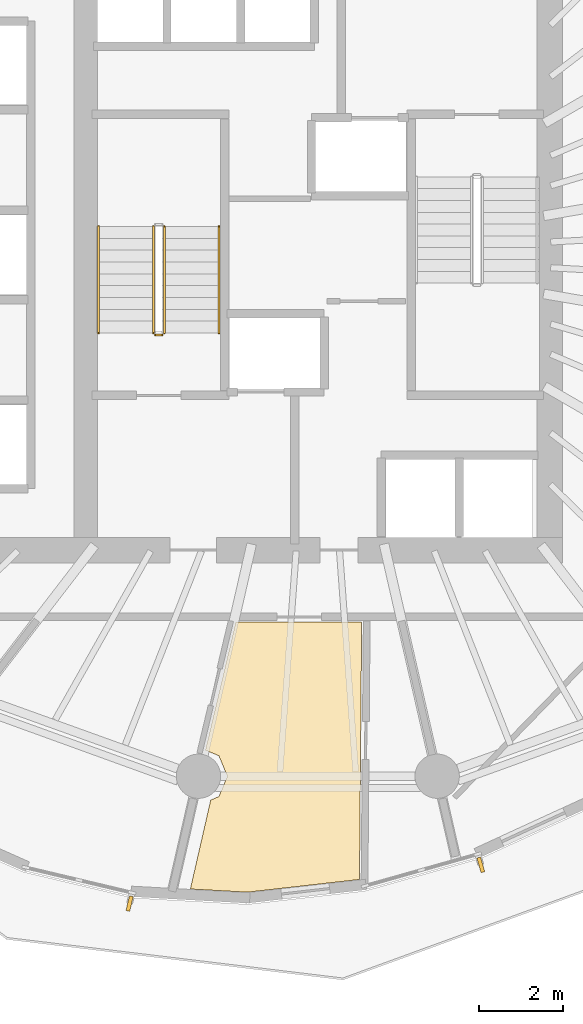
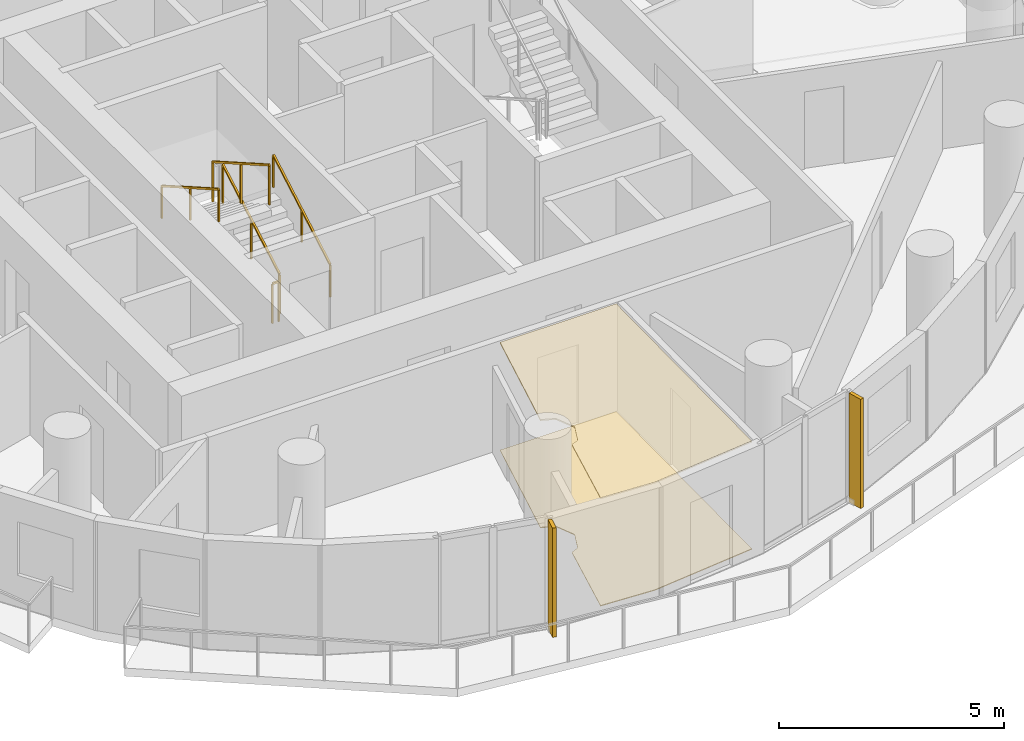
# One storey, part 9 of 13: 5 railings, 2 coverings, 2 shading devices.
"""IFC4 building model written with IfcOpenShell, lengths in metres."""

from ifc_helpers import new_model, si_unit, direction, frame, origin, origin_2d, place, context, subcontext, project, spatial, polyline, rectangle, outline, extrude, material, layer, layer_set, type_object, element, save


model = new_model("IFC4")

# Units and contexts
model_context = context("Model", 3, precision=1e-05, world=origin(), true_north=direction((0.0, 1.0)))
body_context = subcontext(model_context, "Body", "Model", "MODEL_VIEW")
ifc_project = project(units=[si_unit("LENGTHUNIT", "METRE"), si_unit("AREAUNIT", "SQUARE_METRE"), si_unit("VOLUMEUNIT", "CUBIC_METRE"), si_unit("PLANEANGLEUNIT", "RADIAN"), si_unit("MASSUNIT", "GRAM", prefix="KILO")], contexts=[model_context])

# Site, building, storey
site_placement = place(None, origin())
site = spatial("IfcSite", under=ifc_project, at=site_placement, CompositionType="ELEMENT")
building_placement = place(site_placement, origin())
building = spatial("IfcBuilding", under=site, at=building_placement, Name="Veldorim Arch Residences", CompositionType="ELEMENT")
storey_placement = place(building_placement, frame((0.0, 0.0, 152.159912109375)))
storey = spatial("IfcBuildingStorey", under=building, at=storey_placement, Name="L45", CompositionType="ELEMENT", Elevation=152.159912109375)

# Railings
ifc_material_1 = material(Name="Steel S355", Category="steel")
railing_type_1 = type_object("IfcRailingType", Name="Galvanised Steel Stair Safety Guardrail 1100", PredefinedType="GUARDRAIL", material=ifc_material_1)
railing_1_placement = place(storey_placement, frame((28.360107421875, 22.14990234375, 0.16015625)))
element("IfcRailing", 1, at=railing_1_placement, inside=storey, type_object=railing_type_1, Name="L45 ST-1 stair guard 1", PredefinedType="GUARDRAIL", context=body_context, shape_type="SweptSolid", body=[
    extrude(rectangle(XDim=0.048095703125, YDim=0.048095703125, at=origin_2d()), frame((0.0, 0.0, 1.076171875), z_axis=(0.0, 0.868253494771, 0.496120820787), x_axis=(-1.0, 0.0, 0.0)), (0.0, 0.0, 1.0), 2.90234375),
    extrude(rectangle(XDim=0.0419921875, YDim=0.0419921875, at=origin_2d()), origin(), (0.0, 0.0, 1.0), 1.052001953125),
    extrude(rectangle(XDim=0.0419921875, YDim=0.0419921875, at=origin_2d()), frame((0.0, 1.260009765625, 0.719970703125)), (0.0, 0.0, 1.0), 1.052001953125),
    extrude(rectangle(XDim=0.0419921875, YDim=0.0419921875, at=origin_2d()), frame((0.0, 2.52001953125, 1.43994140625)), (0.0, 0.0, 1.0), 1.052001953125),
])
railing_2_placement = place(storey_placement, frame((28.10009765625, 24.669921875, 1.760009765625)))
element("IfcRailing", 2, at=railing_2_placement, inside=storey, type_object=railing_type_1, Name="L45 ST-1 stair guard 3", PredefinedType="GUARDRAIL", context=body_context, shape_type="SweptSolid", body=[
    extrude(rectangle(XDim=0.048095703125, YDim=0.048095703125, at=origin_2d()), frame((0.0, 0.0, 1.076171875), z_axis=(0.0, -0.868217259934, 0.496184229447), x_axis=(1.0, 0.0, 0.0)), (0.0, 0.0, 1.0), 2.902587890625),
    extrude(rectangle(XDim=0.0419921875, YDim=0.0419921875, at=origin_2d()), origin(), (0.0, 0.0, 1.0), 1.052001953125),
    extrude(rectangle(XDim=0.0419921875, YDim=0.0419921875, at=origin_2d()), frame((0.0, -1.260009765625, 0.72021484375)), (0.0, 0.0, 1.0), 1.052001953125),
    extrude(rectangle(XDim=0.0419921875, YDim=0.0419921875, at=origin_2d()), frame((0.0, -2.52001953125, 1.440185546875)), (0.0, 0.0, 1.0), 1.052001953125),
])
railing_3_placement = place(storey_placement, frame((28.31005859375, 22.10009765625, 0.0)))
element("IfcRailing", 3, at=railing_3_placement, inside=storey, type_object=railing_type_1, Name="L45 ST-1 stair guard 4", PredefinedType="GUARDRAIL", context=body_context, shape_type="SweptSolid", body=[
    extrude(rectangle(XDim=0.048095703125, YDim=0.048095703125, at=origin_2d()), frame((0.0, 0.0, 1.076171875), z_axis=(-1.0, 0.0, 0.0), x_axis=(0.0, -1.0, 0.0)), (0.0, 0.0, 1.0), 0.16015625),
    extrude(rectangle(XDim=0.0419921875, YDim=0.0419921875, at=origin_2d()), origin(), (0.0, 0.0, 1.0), 1.052001953125),
    extrude(rectangle(XDim=0.0419921875, YDim=0.0419921875, at=origin_2d()), frame((-0.16015625, 0.0, 0.0)), (0.0, 0.0, 1.0), 1.052001953125),
])

# Coverings
ifc_material_2 = material(Name="Acoustic Gypsum & Mineral Fibre", Category="gypsum")
ifc_layer_1 = layer(ifc_material_2, 0.034912109375, Name="Perforated Acoustic Mineral-Fibre Ceiling 35")
ifc_layer_set_1 = layer_set([ifc_layer_1], Name="Acoustic Gypsum & Mineral Fibre")
covering_type_1 = type_object("IfcCoveringType", Name="Perforated Acoustic Mineral-Fibre Ceiling 35", PredefinedType="CEILING", material=ifc_layer_set_1)
covering_1_placement = place(storey_placement, frame((0.0, 0.0, 2.905029296875)))
element("IfcCovering", 4, at=covering_1_placement, inside=storey, type_object=covering_type_1, Name="L45 acoustic suspended ceiling 01", PredefinedType="CEILING", context=body_context, shape_type="SweptSolid", body=[
    extrude(outline(polyline([(28.978515625, 8.96826171875), (29.461181640625, 11.077392578125), (29.655517578125, 11.15771484375), (29.856201171875, 11.64208984375), (29.655517578125, 12.12646484375), (29.3359375, 12.2587890625), (30.057861328125, 15.300048828125), (33.038818359375, 15.300048828125), (32.98779296875, 9.194091796875), (30.327880859375, 8.892578125), (28.978515625, 8.96826171875)])), origin(), (0.0, 0.0, 1.0), 0.03515625),
])
ifc_material_3 = material(Name="Porcelain Ceramic Tile", Category="ceramic")
ifc_layer_2 = layer(ifc_material_3, 0.02001953125, Name="Slip-Resistant Porcelain & Vinyl Floor Finish 20")
ifc_layer_set_2 = layer_set([ifc_layer_2], Name="Porcelain Ceramic Tile")
covering_type_2 = type_object("IfcCoveringType", Name="Slip-Resistant Porcelain & Vinyl Floor Finish 20", PredefinedType="FLOORING", material=ifc_layer_set_2)
covering_2_placement = place(storey_placement, origin())
element("IfcCovering", 5, at=covering_2_placement, inside=storey, type_object=covering_type_2, Name="L45 porcelain floor finish 01", PredefinedType="FLOORING", context=body_context, shape_type="SweptSolid", body=[
    extrude(outline(polyline([(28.978515625, 8.96826171875), (29.461181640625, 11.077392578125), (29.655517578125, 11.15771484375), (29.856201171875, 11.64208984375), (29.655517578125, 12.12646484375), (29.3359375, 12.2587890625), (30.057861328125, 15.300048828125), (33.038818359375, 15.300048828125), (32.98779296875, 9.194091796875), (30.327880859375, 8.892578125), (28.978515625, 8.96826171875)])), origin(), (0.0, 0.0, 1.0), 0.02001953125),
])

# Railings
ifc_material_4 = material(Name="Stainless Steel", Category="steel")
railing_type_2 = type_object("IfcRailingType", Name="Tubular Steel Continuous Wall Handrail 900", PredefinedType="HANDRAIL", material=ifc_material_4)
railing_4_placement = place(storey_placement, frame((29.659912109375, 22.14990234375, 0.16015625)))
element("IfcRailing", 6, at=railing_4_placement, inside=storey, type_object=railing_type_2, Name="L45 ST-1 stair handrail 1", PredefinedType="HANDRAIL", context=body_context, shape_type="SweptSolid", body=[
    extrude(rectangle(XDim=0.048095703125, YDim=0.048095703125, at=origin_2d()), frame((0.0, 0.0, 0.8759765625), z_axis=(0.0, 0.868253494771, 0.496120820787), x_axis=(-1.0, 0.0, 0.0)), (0.0, 0.0, 1.0), 2.90234375),
    extrude(rectangle(XDim=0.0419921875, YDim=0.0419921875, at=origin_2d()), origin(), (0.0, 0.0, 1.0), 0.851806640625),
    extrude(rectangle(XDim=0.0419921875, YDim=0.0419921875, at=origin_2d()), frame((0.0, 1.260009765625, 0.719970703125)), (0.0, 0.0, 1.0), 0.851806640625),
    extrude(rectangle(XDim=0.0419921875, YDim=0.0419921875, at=origin_2d()), frame((0.0, 2.52001953125, 1.43994140625)), (0.0, 0.0, 1.0), 0.851806640625),
])
railing_5_placement = place(storey_placement, frame((26.800048828125, 24.669921875, 1.760009765625)))
element("IfcRailing", 7, at=railing_5_placement, inside=storey, type_object=railing_type_2, Name="L45 ST-1 stair handrail 2", PredefinedType="HANDRAIL", context=body_context, shape_type="SweptSolid", body=[
    extrude(rectangle(XDim=0.048095703125, YDim=0.048095703125, at=origin_2d()), frame((0.0, 0.0, 0.8759765625), z_axis=(0.0, -0.868217259934, 0.496184229447), x_axis=(1.0, 0.0, 0.0)), (0.0, 0.0, 1.0), 2.902587890625),
    extrude(rectangle(XDim=0.0419921875, YDim=0.0419921875, at=origin_2d()), origin(), (0.0, 0.0, 1.0), 0.851806640625),
    extrude(rectangle(XDim=0.0419921875, YDim=0.0419921875, at=origin_2d()), frame((0.0, -1.260009765625, 0.72021484375)), (0.0, 0.0, 1.0), 0.851806640625),
    extrude(rectangle(XDim=0.0419921875, YDim=0.0419921875, at=origin_2d()), frame((0.0, -2.52001953125, 1.440185546875)), (0.0, 0.0, 1.0), 0.851806640625),
])

# Shading devices
ifc_material_5 = material(Name="Terracotta Ceramic", Category="masonry")
ifc_layer_3 = layer(ifc_material_5, 0.090087890625, Name="Vertical Extruded Terracotta Baguette Sun-Shading Fin")
ifc_layer_set_3 = layer_set([ifc_layer_3], Name="Terracotta Ceramic")
shading_device_type = type_object("IfcShadingDeviceType", Name="Vertical Extruded Terracotta Baguette Sun-Shading Fin", PredefinedType="USERDEFINED", material=ifc_layer_set_3)
for number, where, z_axis, x_axis, name in (
    (8, (27.53759765625, 8.622314453125, 0.0), (0.0, 0.0, 1.0), (-0.972977745976, 0.230898908261, 0.0), "L45 vertical terracotta sun-shading fin 22"),
    (9, (35.86328125, 9.5400390625, 0.0), (0.0, 0.0, 1.0), (-0.962549928407, -0.271104473079, 0.0), "L45 vertical terracotta sun-shading fin 25"),
):
    element("IfcShadingDevice", number, at=place(storey_placement, frame(where, z_axis=z_axis, x_axis=x_axis)), inside=storey, type_object=shading_device_type, Name=name, ObjectType="FIN", PredefinedType="USERDEFINED", context=body_context, shape_type="SweptSolid", body=[
        extrude(rectangle(XDim=0.090087890625, YDim=0.360107421875, at=origin_2d()), origin(), (0.0, 0.0, 1.0), 2.9599609375),
    ])

save(model, "model.ifc")
